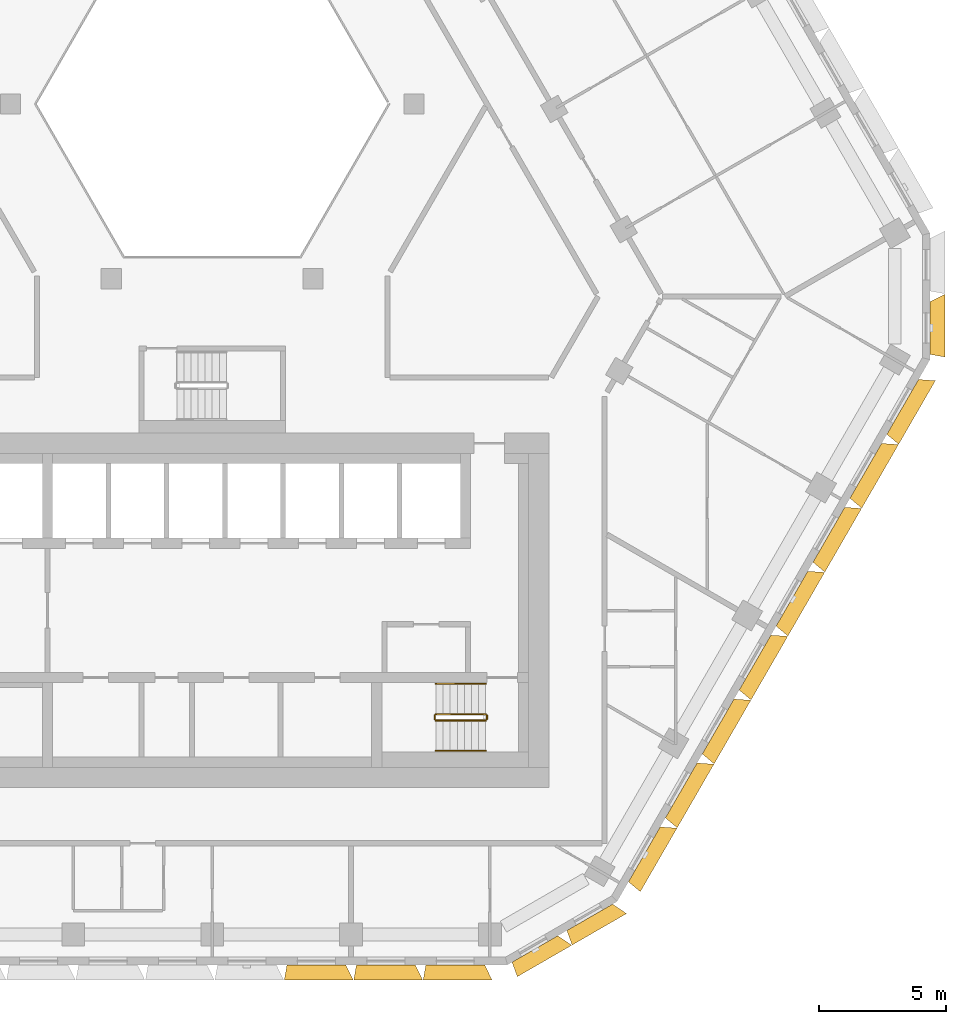
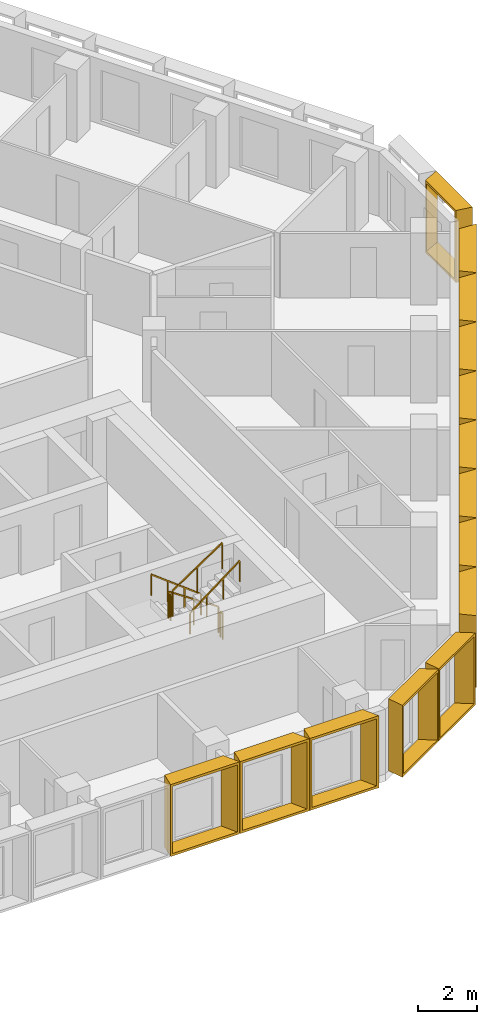
# One storey, part 16 of 17: 14 shading devices, 6 railings.
"""IFC4 building model written with IfcOpenShell, lengths in metres."""

from ifc_helpers import new_model, entity, si_unit, direction, frame, origin, origin_2d, place, context, subcontext, project, spatial, rectangle, extrude, source, transform, mapped, material, type_object, type_shapes, element, save


model = new_model("IFC4")

# Units and contexts
model_context = context("Model", 3, precision=1e-05, world=origin(), true_north=direction((0.0, 1.0)))
body_context = subcontext(model_context, "Body", "Model", "MODEL_VIEW")
ifc_project = project(units=[si_unit("LENGTHUNIT", "METRE"), si_unit("AREAUNIT", "SQUARE_METRE"), si_unit("VOLUMEUNIT", "CUBIC_METRE"), si_unit("PLANEANGLEUNIT", "RADIAN"), si_unit("MASSUNIT", "GRAM", prefix="KILO")], contexts=[model_context])

# Site, building, storey
site_placement = place(None, origin())
site = spatial("IfcSite", under=ifc_project, at=site_placement, CompositionType="ELEMENT")
building_placement = place(site_placement, origin())
building = spatial("IfcBuilding", under=site, at=building_placement, Name="Beryl Residences", CompositionType="ELEMENT")
storey_placement = place(building_placement, frame((0.0, 0.0, 132.60009765625)))
storey = spatial("IfcBuildingStorey", under=building, at=storey_placement, Name="L40", CompositionType="ELEMENT", Elevation=132.60009765625)

# Shading devices
ifc_material_1 = material(Name="Aluminium pale anodised", Category="aluminium")
shading_device_type_1 = type_object("IfcShadingDeviceType", Name="FR250-60C OUTER SKIN frame 600 mm deep, splay 10/26 deg, 2500 x 3000 mm cell", PredefinedType="USERDEFINED", material=ifc_material_1)
cartesian_point_1 = entity("IfcCartesianPoint", [-1.04052734375, 0.0])
cartesian_point_2 = entity("IfcCartesianPoint", [-0.959228515625, 0.10009765625])
cartesian_point_3 = entity("IfcCartesianPoint", [-1.146240234375, 0.0])
cartesian_point_4 = entity("IfcCartesianPoint", [-1.06494140625, 0.10009765625])
shared_shape_1 = source(origin(), body_context, "Body", "SweptSolid", [
    entity("IfcExtrudedAreaSolidTapered", entity("IfcArbitraryProfileDefWithVoids", "AREA", None, entity("IfcPolyline", [cartesian_point_1, entity("IfcCartesianPoint", [1.04052734375, 0.0]), entity("IfcCartesianPoint", [1.04052734375, 3.0]), entity("IfcCartesianPoint", [-1.04052734375, 3.0]), cartesian_point_1]), [entity("IfcPolyline", [cartesian_point_2, entity("IfcCartesianPoint", [0.951416015625, 0.10009765625]), entity("IfcCartesianPoint", [0.951416015625, 2.89990234375]), entity("IfcCartesianPoint", [-0.959228515625, 2.89990234375]), cartesian_point_2])]), entity("IfcAxis2Placement3D", entity("IfcCartesianPoint", [0.0, 0.0, 0.0]), entity("IfcDirection", [0.0, 1.0, 0.0]), entity("IfcDirection", [-1.0, 0.0, 0.0])), entity("IfcDirection", [0.0, 0.0, 1.0]), 0.60009765625, entity("IfcArbitraryProfileDefWithVoids", "AREA", None, entity("IfcPolyline", [cartesian_point_3, entity("IfcCartesianPoint", [1.333251953125, 0.0]), entity("IfcCartesianPoint", [1.333251953125, 3.0]), entity("IfcCartesianPoint", [-1.146240234375, 3.0]), cartesian_point_3]), [entity("IfcPolyline", [cartesian_point_4, entity("IfcCartesianPoint", [1.244140625, 0.10009765625]), entity("IfcCartesianPoint", [1.244140625, 2.89990234375]), entity("IfcCartesianPoint", [-1.06494140625, 2.89990234375]), cartesian_point_4])])),
])
type_shapes(shading_device_type_1, [shared_shape_1])
for number, where, z_axis, x_axis, name in (
    (1, (12.7451171875, -25.375, 0.0), (0.0, 0.0, 1.0), (-0.866025403784, -0.5, 0.0), "FR250-60C frame L40 S-SE 1"),
    (2, (14.909912109375, -24.125, 0.0), (0.0, 0.0, 1.0), (-0.866025403784, -0.5, 0.0), "FR250-60C frame L40 S-SE 2"),
    (3, (28.347900390625, -0.85009765625, 0.0), (0.0, 0.0, 1.0), (0.0, -1.0, 0.0), "FR250-60C frame L40 SE-NE 1"),
):
    element("IfcShadingDevice", number, at=place(storey_placement, frame(where, z_axis=z_axis, x_axis=x_axis)), inside=storey, type_object=shading_device_type_1, Name=name, ObjectType="OUTER SKIN", PredefinedType="USERDEFINED", context=body_context, shape_type="MappedRepresentation", body=[
        mapped(shared_shape_1, transform((0.0, 0.0, 0.0))),
    ])
ifc_material_2 = material(Name="Aluminium pale anodised", Category="aluminium")
shading_device_type_2 = type_object("IfcShadingDeviceType", Name="FR274-60C OUTER SKIN frame 600 mm deep, splay 10/26 deg, 2740 x 3000 mm cell", PredefinedType="USERDEFINED", material=ifc_material_2)
cartesian_point_5 = entity("IfcCartesianPoint", [-1.160400390625, 0.0])
cartesian_point_6 = entity("IfcCartesianPoint", [-1.079345703125, 0.10009765625])
cartesian_point_7 = entity("IfcCartesianPoint", [-1.266357421875, 0.0])
cartesian_point_8 = entity("IfcCartesianPoint", [-1.18505859375, 0.10009765625])
shared_shape_2 = source(origin(), body_context, "Body", "SweptSolid", [
    entity("IfcExtrudedAreaSolidTapered", entity("IfcArbitraryProfileDefWithVoids", "AREA", None, entity("IfcPolyline", [cartesian_point_5, entity("IfcCartesianPoint", [1.160400390625, 0.0]), entity("IfcCartesianPoint", [1.160400390625, 3.0]), entity("IfcCartesianPoint", [-1.160400390625, 3.0]), cartesian_point_5]), [entity("IfcPolyline", [cartesian_point_6, entity("IfcCartesianPoint", [1.071533203125, 0.10009765625]), entity("IfcCartesianPoint", [1.071533203125, 2.89990234375]), entity("IfcCartesianPoint", [-1.079345703125, 2.89990234375]), cartesian_point_6])]), entity("IfcAxis2Placement3D", entity("IfcCartesianPoint", [0.0, 0.0, 0.0]), entity("IfcDirection", [0.0, 1.0, 0.0]), entity("IfcDirection", [-1.0, 0.0, 0.0])), entity("IfcDirection", [0.0, 0.0, 1.0]), 0.60009765625, entity("IfcArbitraryProfileDefWithVoids", "AREA", None, entity("IfcPolyline", [cartesian_point_7, entity("IfcCartesianPoint", [1.453125, 0.0]), entity("IfcCartesianPoint", [1.453125, 3.0]), entity("IfcCartesianPoint", [-1.266357421875, 3.0]), cartesian_point_7]), [entity("IfcPolyline", [cartesian_point_8, entity("IfcCartesianPoint", [1.364013671875, 0.10009765625]), entity("IfcCartesianPoint", [1.364013671875, 2.89990234375]), entity("IfcCartesianPoint", [-1.18505859375, 2.89990234375]), cartesian_point_8])])),
])
type_shapes(shading_device_type_2, [shared_shape_2])
for number, where, z_axis, x_axis, name in (
    (4, (4.114990234375, -26.0, 0.0), (0.0, 0.0, 1.0), (-1.0, 0.0, 0.0), "FR274-60C frame L40 S 6"),
    (5, (6.85693359375, -26.0, 0.0), (0.0, 0.0, 1.0), (-1.0, 0.0, 0.0), "FR274-60C frame L40 S 7"),
    (6, (9.60009765625, -26.0, 0.0), (0.0, 0.0, 1.0), (-1.0, 0.0, 0.0), "FR274-60C frame L40 S 8"),
):
    element("IfcShadingDevice", number, at=place(storey_placement, frame(where, z_axis=z_axis, x_axis=x_axis)), inside=storey, type_object=shading_device_type_2, Name=name, ObjectType="OUTER SKIN", PredefinedType="USERDEFINED", context=body_context, shape_type="MappedRepresentation", body=[
        mapped(shared_shape_2, transform((0.0, 0.0, 0.0))),
    ])
ifc_material_3 = material(Name="Aluminium pale anodised", Category="aluminium")
shading_device_type_3 = type_object("IfcShadingDeviceType", Name="FR292-60C OUTER SKIN frame 600 mm deep, splay 10/26 deg, 2920 x 3000 mm cell", PredefinedType="USERDEFINED", material=ifc_material_3)
cartesian_point_9 = entity("IfcCartesianPoint", [-1.25048828125, 0.0])
cartesian_point_10 = entity("IfcCartesianPoint", [-1.169189453125, 0.10009765625])
cartesian_point_11 = entity("IfcCartesianPoint", [-1.356201171875, 0.0])
cartesian_point_12 = entity("IfcCartesianPoint", [-1.275146484375, 0.10009765625])
shared_shape_3 = source(origin(), body_context, "Body", "SweptSolid", [
    entity("IfcExtrudedAreaSolidTapered", entity("IfcArbitraryProfileDefWithVoids", "AREA", None, entity("IfcPolyline", [cartesian_point_9, entity("IfcCartesianPoint", [1.25048828125, 0.0]), entity("IfcCartesianPoint", [1.25048828125, 3.0]), entity("IfcCartesianPoint", [-1.25048828125, 3.0]), cartesian_point_9]), [entity("IfcPolyline", [cartesian_point_10, entity("IfcCartesianPoint", [1.161376953125, 0.10009765625]), entity("IfcCartesianPoint", [1.161376953125, 2.89990234375]), entity("IfcCartesianPoint", [-1.169189453125, 2.89990234375]), cartesian_point_10])]), entity("IfcAxis2Placement3D", entity("IfcCartesianPoint", [0.0, 0.0, 0.0]), entity("IfcDirection", [0.0, 1.0, 0.0]), entity("IfcDirection", [-1.0, 0.0, 0.0])), entity("IfcDirection", [0.0, 0.0, 1.0]), 0.60009765625, entity("IfcArbitraryProfileDefWithVoids", "AREA", None, entity("IfcPolyline", [cartesian_point_11, entity("IfcCartesianPoint", [1.543212890625, 0.0]), entity("IfcCartesianPoint", [1.543212890625, 3.0]), entity("IfcCartesianPoint", [-1.356201171875, 3.0]), cartesian_point_11]), [entity("IfcPolyline", [cartesian_point_12, entity("IfcCartesianPoint", [1.4541015625, 0.10009765625]), entity("IfcCartesianPoint", [1.4541015625, 2.89990234375]), entity("IfcCartesianPoint", [-1.275146484375, 2.89990234375]), cartesian_point_12])])),
])
type_shapes(shading_device_type_3, [shared_shape_3])
for number, where, z_axis, x_axis, name in (
    (7, (17.06689453125, -21.637939453125, 0.0), (0.0, 0.0, 1.0), (-0.5, -0.866025403784, 0.0), "FR292-60C frame L40 SE 1"),
    (8, (18.52490234375, -19.113037109375, 0.0), (0.0, 0.0, 1.0), (-0.5, -0.866025403784, 0.0), "FR292-60C frame L40 SE 2"),
    (9, (19.98291015625, -16.587890625, 0.0), (0.0, 0.0, 1.0), (-0.5, -0.866025403784, 0.0), "FR292-60C frame L40 SE 3"),
    (10, (21.44091796875, -14.06298828125, 0.0), (0.0, 0.0, 1.0), (-0.5, -0.866025403784, 0.0), "FR292-60C frame L40 SE 4"),
    (11, (22.89794921875, -11.5380859375, 0.0), (0.0, 0.0, 1.0), (-0.5, -0.866025403784, 0.0), "FR292-60C frame L40 SE 5"),
    (12, (24.35595703125, -9.013916015625, 0.0), (0.0, 0.0, 1.0), (-0.5, -0.866025403784, 0.0), "FR292-60C frame L40 SE 6"),
    (13, (25.81396484375, -6.489013671875, 0.0), (0.0, 0.0, 1.0), (-0.5, -0.866025403784, 0.0), "FR292-60C frame L40 SE 7"),
    (14, (27.27197265625, -3.964111328125, 0.0), (0.0, 0.0, 1.0), (-0.5, -0.866025403784, 0.0), "FR292-60C frame L40 SE 8"),
):
    element("IfcShadingDevice", number, at=place(storey_placement, frame(where, z_axis=z_axis, x_axis=x_axis)), inside=storey, type_object=shading_device_type_3, Name=name, ObjectType="OUTER SKIN", PredefinedType="USERDEFINED", context=body_context, shape_type="MappedRepresentation", body=[
        mapped(shared_shape_3, transform((0.0, 0.0, 0.0))),
    ])

# Railings
ifc_material_4 = material(Name="Stainless steel balustrade with glass infill", Category="steel")
railing_type_1 = type_object("IfcRailingType", Name="SG1 stair guard 1100 mm", PredefinedType="GUARDRAIL", material=ifc_material_4)
railing_1_placement = place(storey_placement, frame((10.800048828125, -16.10009765625, 0.1875)))
element("IfcRailing", 15, at=railing_1_placement, inside=storey, type_object=railing_type_1, Name="L40 ST-3 stair guard 1", PredefinedType="GUARDRAIL", context=body_context, shape_type="SweptSolid", body=[
    extrude(rectangle(XDim=0.048095703125, YDim=0.048095703125, at=origin_2d()), frame((0.0, 0.0, 1.076171875), z_axis=(-0.830902050051, 0.0, 0.556418712142), x_axis=(0.0, -1.0, 0.0)), (0.0, 0.0, 1.0), 2.35888671875),
    extrude(rectangle(XDim=0.0419921875, YDim=0.0419921875, at=origin_2d()), origin(), (0.0, 0.0, 1.0), 1.052001953125),
    extrude(rectangle(XDim=0.0419921875, YDim=0.0419921875, at=origin_2d()), frame((-0.97998046875, 0.0, 0.65625)), (0.0, 0.0, 1.0), 1.052001953125),
    extrude(rectangle(XDim=0.0419921875, YDim=0.0419921875, at=origin_2d()), frame((-1.9599609375, 0.0, 1.3125)), (0.0, 0.0, 1.0), 1.052001953125),
])
railing_2_placement = place(storey_placement, frame((8.7900390625, -16.14990234375, 1.5)))
element("IfcRailing", 16, at=railing_2_placement, inside=storey, type_object=railing_type_1, Name="L40 ST-3 stair guard 2", PredefinedType="GUARDRAIL", context=body_context, shape_type="SweptSolid", body=[
    extrude(rectangle(XDim=0.048095703125, YDim=0.048095703125, at=origin_2d()), frame((0.0, 0.0, 1.076171875), z_axis=(0.0, -1.0, 0.0), x_axis=(1.0, 0.0, 0.0)), (0.0, 0.0, 1.0), 0.150146484375),
    extrude(rectangle(XDim=0.0419921875, YDim=0.0419921875, at=origin_2d()), origin(), (0.0, 0.0, 1.0), 1.052001953125),
    extrude(rectangle(XDim=0.0419921875, YDim=0.0419921875, at=origin_2d()), frame((0.0, -0.150146484375, 0.0)), (0.0, 0.0, 1.0), 1.052001953125),
])
railing_3_placement = place(storey_placement, frame((8.840087890625, -16.35009765625, 1.6875)))
element("IfcRailing", 17, at=railing_3_placement, inside=storey, type_object=railing_type_1, Name="L40 ST-3 stair guard 3", PredefinedType="GUARDRAIL", context=body_context, shape_type="SweptSolid", body=[
    extrude(rectangle(XDim=0.048095703125, YDim=0.048095703125, at=origin_2d()), frame((0.0, 0.0, 1.076171875), z_axis=(0.830902050051, 0.0, 0.556418712142), x_axis=(0.0, 1.0, 0.0)), (0.0, 0.0, 1.0), 2.35888671875),
    extrude(rectangle(XDim=0.0419921875, YDim=0.0419921875, at=origin_2d()), origin(), (0.0, 0.0, 1.0), 1.052001953125),
    extrude(rectangle(XDim=0.0419921875, YDim=0.0419921875, at=origin_2d()), frame((0.97998046875, 0.0, 0.65625)), (0.0, 0.0, 1.0), 1.052001953125),
    extrude(rectangle(XDim=0.0419921875, YDim=0.0419921875, at=origin_2d()), frame((1.9599609375, 0.0, 1.3125)), (0.0, 0.0, 1.0), 1.052001953125),
])
railing_4_placement = place(storey_placement, frame((10.85009765625, -16.14990234375, 0.0)))
element("IfcRailing", 18, at=railing_4_placement, inside=storey, type_object=railing_type_1, Name="L40 ST-3 stair guard 4", PredefinedType="GUARDRAIL", context=body_context, shape_type="SweptSolid", body=[
    extrude(rectangle(XDim=0.048095703125, YDim=0.048095703125, at=origin_2d()), frame((0.0, 0.0, 1.076171875), z_axis=(0.0, -1.0, 0.0), x_axis=(1.0, 0.0, 0.0)), (0.0, 0.0, 1.0), 0.150146484375),
    extrude(rectangle(XDim=0.0419921875, YDim=0.0419921875, at=origin_2d()), origin(), (0.0, 0.0, 1.0), 1.052001953125),
    extrude(rectangle(XDim=0.0419921875, YDim=0.0419921875, at=origin_2d()), frame((0.0, -0.150146484375, 0.0)), (0.0, 0.0, 1.0), 1.052001953125),
])
ifc_material_5 = material(Name="Stainless steel handrail", Category="steel")
railing_type_2 = type_object("IfcRailingType", Name="SRL1 stair handrail 900 mm", PredefinedType="HANDRAIL", material=ifc_material_5)
railing_5_placement = place(storey_placement, frame((10.800048828125, -14.89990234375, 0.1875)))
element("IfcRailing", 19, at=railing_5_placement, inside=storey, type_object=railing_type_2, Name="L40 ST-3 stair handrail 1", PredefinedType="HANDRAIL", context=body_context, shape_type="SweptSolid", body=[
    extrude(rectangle(XDim=0.048095703125, YDim=0.048095703125, at=origin_2d()), frame((0.0, 0.0, 0.8759765625), z_axis=(-0.794121922505, 0.0, 0.607758481798), x_axis=(0.0, -1.0, 0.0)), (0.0, 0.0, 1.0), 2.468017578125),
    extrude(rectangle(XDim=0.0419921875, YDim=0.0419921875, at=origin_2d()), origin(), (0.0, 0.0, 1.0), 0.851806640625),
    extrude(rectangle(XDim=0.0419921875, YDim=0.0419921875, at=origin_2d()), frame((-0.6533203125, 0.0, 0.5)), (0.0, 0.0, 1.0), 0.851806640625),
    extrude(rectangle(XDim=0.0419921875, YDim=0.0419921875, at=origin_2d()), frame((-1.306640625, 0.0, 1.0)), (0.0, 0.0, 1.0), 0.851806640625),
    extrude(rectangle(XDim=0.0419921875, YDim=0.0419921875, at=origin_2d()), frame((-1.9599609375, 0.0, 1.5)), (0.0, 0.0, 1.0), 0.851806640625),
])
railing_6_placement = place(storey_placement, frame((8.840087890625, -17.550048828125, 1.6875)))
element("IfcRailing", 20, at=railing_6_placement, inside=storey, type_object=railing_type_2, Name="L40 ST-3 stair handrail 2", PredefinedType="HANDRAIL", context=body_context, shape_type="SweptSolid", body=[
    extrude(rectangle(XDim=0.048095703125, YDim=0.048095703125, at=origin_2d()), frame((0.0, 0.0, 0.8759765625), z_axis=(0.794121922505, 0.0, 0.607758481798), x_axis=(0.0, 1.0, 0.0)), (0.0, 0.0, 1.0), 2.468017578125),
    extrude(rectangle(XDim=0.0419921875, YDim=0.0419921875, at=origin_2d()), origin(), (0.0, 0.0, 1.0), 0.851806640625),
    extrude(rectangle(XDim=0.0419921875, YDim=0.0419921875, at=origin_2d()), frame((0.6533203125, 0.0, 0.5)), (0.0, 0.0, 1.0), 0.851806640625),
    extrude(rectangle(XDim=0.0419921875, YDim=0.0419921875, at=origin_2d()), frame((1.306640625, 0.0, 1.0)), (0.0, 0.0, 1.0), 0.851806640625),
    extrude(rectangle(XDim=0.0419921875, YDim=0.0419921875, at=origin_2d()), frame((1.9599609375, 0.0, 1.5)), (0.0, 0.0, 1.0), 0.851806640625),
])

save(model, "model.ifc")
